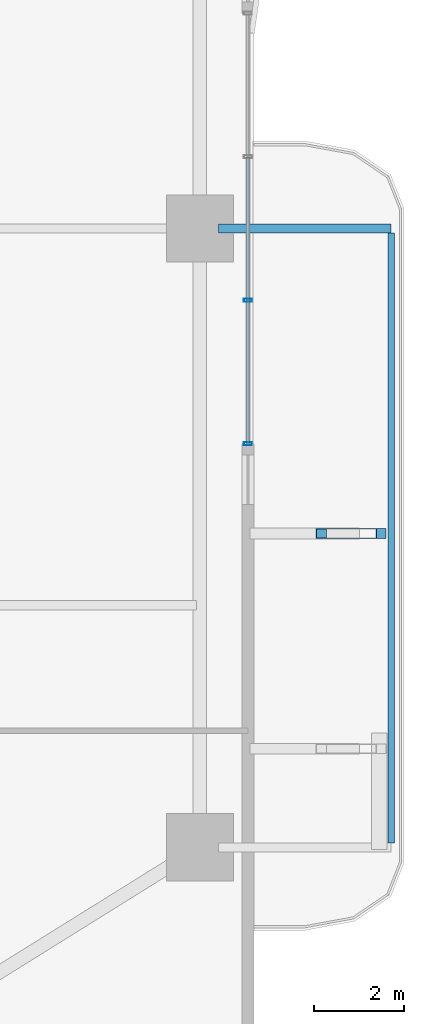
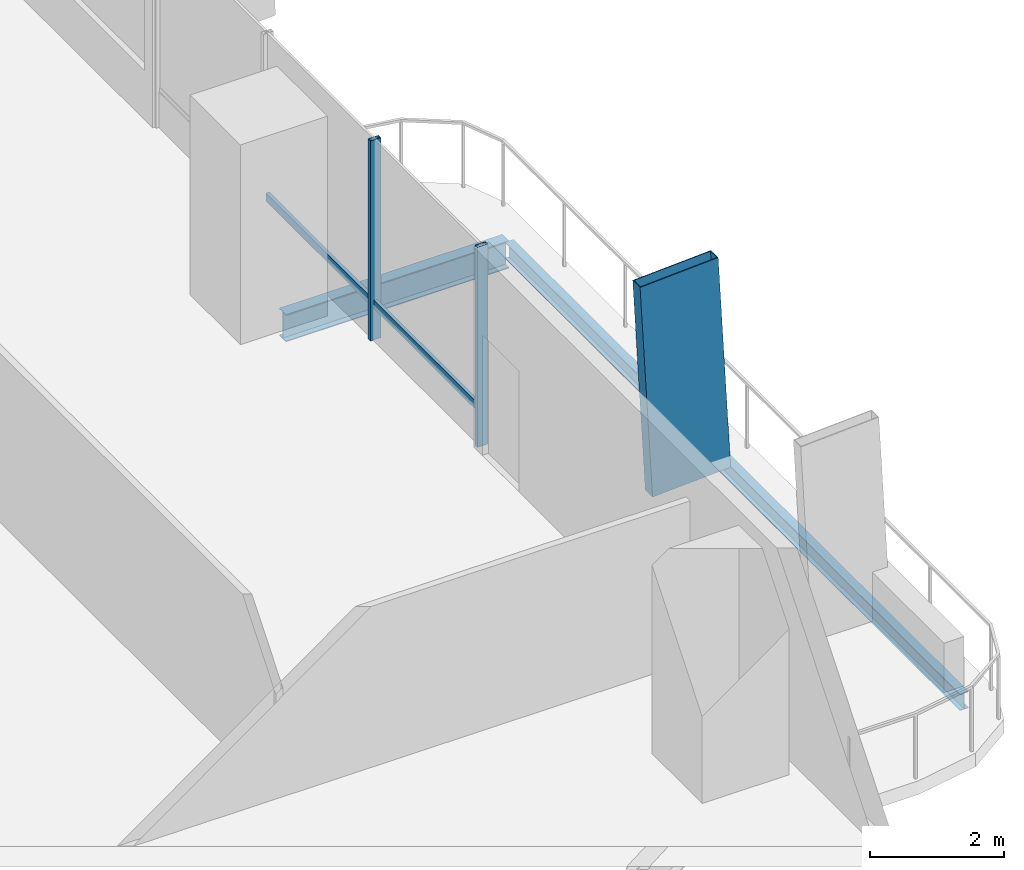
# One storey, part 8 of 23: 5 members, 2 beams, 1 element without a shape of its own.
"""IFC4 building model written with IfcOpenShell, lengths in metres."""

from ifc_helpers import new_model, si_unit, direction, frame, origin, origin_2d, place, context, subcontext, project, spatial, hollow_rectangle, i_section, extrude, material, layer, layer_set, material_profile, profile_set, type_object, element, aggregate, save


model = new_model("IFC4")

# Units and contexts
model_context = context("Model", 3, precision=1e-05, world=origin(), true_north=direction((0.0, 1.0)))
body_context = subcontext(model_context, "Body", "Model", "MODEL_VIEW")
ifc_project = project(units=[si_unit("LENGTHUNIT", "METRE"), si_unit("AREAUNIT", "SQUARE_METRE"), si_unit("VOLUMEUNIT", "CUBIC_METRE"), si_unit("PLANEANGLEUNIT", "RADIAN"), si_unit("MASSUNIT", "GRAM", prefix="KILO")], contexts=[model_context])

# Site, building, storey
site_placement = place(None, origin())
site = spatial("IfcSite", under=ifc_project, at=site_placement, CompositionType="ELEMENT")
building_placement = place(site_placement, origin())
building = spatial("IfcBuilding", under=site, at=building_placement, Name="Belovzor Exchange Tower", CompositionType="ELEMENT")
storey_placement = place(building_placement, frame((0.0, 0.0, 53.39990234375)))
storey = spatial("IfcBuildingStorey", under=building, at=storey_placement, Name="L12", CompositionType="ELEMENT", Elevation=53.39990234375)

# Member
ifc_material_1 = material(Name="Extruded Architectural Terracotta on Steel S355 Carrier", Category="masonry")
ifc_material_profile_1 = material_profile(ifc_material_1, hollow_rectangle(XDim=0.219970703125, YDim=1.35009765625, WallThickness=0.013916015625, at=origin_2d()))
ifc_profile_set_1 = profile_set([ifc_material_profile_1], Name="Extruded Architectural Terracotta on Steel S355 Carrier")
member_type_1 = type_object("IfcMemberType", Name="Base Arc Sweeping Terracotta Pylon Fin 1450", PredefinedType="USERDEFINED", material=ifc_profile_set_1)
member_1_placement = place(storey_placement, frame((58.97900390625, 22.0, -0.25), z_axis=(-0.055314244803, 0.0, 0.998468995173), x_axis=(0.0, -1.0, 0.0)))
element("IfcMember", 1, at=member_1_placement, inside=storey, type_object=member_type_1, Name="FIN-TC145 Terracotta Facade Fin L12 E2", ObjectType="FIN", PredefinedType="USERDEFINED", context=body_context, shape_type="SweptSolid", body=[
    extrude(hollow_rectangle(XDim=0.219970703125, YDim=1.35009765625, WallThickness=0.013916015625, at=origin_2d()), origin(), (0.0, 0.0, 1.0), 3.906005859375),
])

# Beams
ifc_material_2 = material(Name="Steel S355", Category="steel")
ifc_material_profile_2 = material_profile(ifc_material_2, i_section(OverallWidth=0.199951171875, OverallDepth=0.5, WebThickness=0.01025390625, FlangeThickness=0.01611328125, at=origin_2d()))
ifc_profile_set_2 = profile_set([ifc_material_profile_2], Name="Steel S355")
beam_type_1 = type_object("IfcBeamType", Name="Planted Balcony Cantilever Beam IPE 500", PredefinedType="BEAM", material=ifc_profile_set_2)
beam_1_placement = place(storey_placement, frame((55.9130859375, 28.800048828125, -0.5), z_axis=(1.0, 0.0, 0.0), x_axis=(0.0, 1.0, 0.0)))
element("IfcBeam", 2, at=beam_1_placement, inside=storey, type_object=beam_type_1, Name="BC-500 Planted Balcony Cantilever Beam IPE 500", PredefinedType="BEAM", context=body_context, shape_type="SweptSolid", body=[
    extrude(i_section(OverallWidth=0.199951171875, OverallDepth=0.5, WebThickness=0.01025390625, FlangeThickness=0.01611328125, at=origin_2d()), origin(), (0.0, 0.0, 1.0), 3.849853515625),
])
ifc_material_3 = material(Name="Steel S355", Category="steel")
ifc_material_profile_3 = material_profile(ifc_material_3, i_section(OverallWidth=0.14990234375, OverallDepth=0.300048828125, WebThickness=0.007080078125, FlangeThickness=0.0107421875, at=origin_2d()))
ifc_profile_set_3 = profile_set([ifc_material_profile_3], Name="Steel S355")
beam_type_2 = type_object("IfcBeamType", Name="Planted Balcony Fascia Edge Beam IPE 300", PredefinedType="BEAM", material=ifc_profile_set_3)
beam_2_placement = place(storey_placement, frame((59.762939453125, 15.10009765625, -0.39990234375), z_axis=(0.0, 1.0, 0.0), x_axis=(-1.0, 0.0, 0.0)))
element("IfcBeam", 3, at=beam_2_placement, inside=storey, type_object=beam_type_2, Name="BC-300 Planted Balcony Fascia Edge Beam IPE 300", PredefinedType="BEAM", context=body_context, shape_type="SweptSolid", body=[
    extrude(i_section(OverallWidth=0.14990234375, OverallDepth=0.300048828125, WebThickness=0.007080078125, FlangeThickness=0.0107421875, at=origin_2d()), origin(), (0.0, 0.0, 1.0), 13.599853515625),
])

# Curtain wall, members
ifc_material_4 = material(Name="Anodised Aluminium Framing", Category="aluminium")
ifc_layer = layer(ifc_material_4, 0.179931640625)
ifc_layer_set = layer_set([ifc_layer], Name="Anodised Aluminium Framing")
curtain_wall_type = type_object("IfcCurtainWallType", Name="Recessed Loggia Low-Iron Triple-Glazed Curtain Wall", PredefinedType="NOTDEFINED", material=ifc_layer_set)
curtain_wall_placement = place(storey_placement, origin())
curtain_wall = element("IfcCurtainWall", 4, at=curtain_wall_placement, inside=storey, type_object=curtain_wall_type, Name="CW3 Recessed Loggia Low-Iron Triple-Glazed Curtain Wall L12", PredefinedType="NOTDEFINED")
ifc_material_5 = material(Name="Steel S355", Category="steel")
ifc_material_profile_4 = material_profile(ifc_material_5, hollow_rectangle(XDim=0.074951171875, YDim=0.179931640625, WallThickness=0.0048828125, at=origin_2d()))
ifc_profile_set_4 = profile_set([ifc_material_profile_4], Name="Steel S355")
member_type_2 = type_object("IfcMemberType", Name="Thermally Broken Curtain Wall Mullion 180x75", PredefinedType="MULLION", material=ifc_profile_set_4)
member_2_placement = place(storey_placement, frame((56.570068359375, 27.199951171875, 0.0), z_axis=(0.0, 0.0, 1.0), x_axis=(0.0, -1.0, 0.0)))
member_2 = element("IfcMember", 5, at=member_2_placement, type_object=member_type_2, Name="CW-M180 Curtain Wall Mullion 3", PredefinedType="MULLION", context=body_context, shape_type="SweptSolid", body=[
    extrude(hollow_rectangle(XDim=0.074951171875, YDim=0.179931640625, WallThickness=0.0048828125, at=origin_2d()), origin(), (0.0, 0.0, 1.0), 3.650146484375),
])
member_3_placement = place(storey_placement, frame((56.570068359375, 24.0, 0.0), z_axis=(0.0, 0.0, 1.0), x_axis=(0.0, -1.0, 0.0)))
member_3 = element("IfcMember", 6, at=member_3_placement, type_object=member_type_2, Name="CW-M180 Curtain Wall Mullion 4", PredefinedType="MULLION", context=body_context, shape_type="SweptSolid", body=[
    extrude(hollow_rectangle(XDim=0.074951171875, YDim=0.179931640625, WallThickness=0.0048828125, at=origin_2d()), origin(), (0.0, 0.0, 1.0), 3.650146484375),
])
ifc_material_6 = material(Name="Steel S355", Category="steel")
ifc_material_profile_5 = material_profile(ifc_material_6, hollow_rectangle(XDim=0.06005859375, YDim=0.14990234375, WallThickness=0.00390625, at=origin_2d()))
ifc_profile_set_5 = profile_set([ifc_material_profile_5], Name="Steel S355")
member_type_3 = type_object("IfcMemberType", Name="Thermally Broken Curtain Wall Transom 150x60", PredefinedType="USERDEFINED", material=ifc_profile_set_5)
member_4_placement = place(storey_placement, frame((56.570068359375, 30.39208984375, 0.650146484375), z_axis=(0.0, -1.0, 0.0), x_axis=(1.0, 0.0, 0.0)))
member_4 = element("IfcMember", 7, at=member_4_placement, type_object=member_type_3, Name="CW-T150 Curtain Wall Transom 2", ObjectType="TRANSOM", PredefinedType="USERDEFINED", context=body_context, shape_type="SweptSolid", body=[
    extrude(hollow_rectangle(XDim=0.06005859375, YDim=0.14990234375, WallThickness=0.00390625, at=origin_2d()), origin(), (0.0, 0.0, 1.0), 3.18408203125),
])
member_5_placement = place(storey_placement, frame((56.570068359375, 27.19189453125, 0.650146484375), z_axis=(0.0, -1.0, 0.0), x_axis=(1.0, 0.0, 0.0)))
member_5 = element("IfcMember", 8, at=member_5_placement, type_object=member_type_3, Name="CW-T150 Curtain Wall Transom 3", ObjectType="TRANSOM", PredefinedType="USERDEFINED", context=body_context, shape_type="SweptSolid", body=[
    extrude(hollow_rectangle(XDim=0.06005859375, YDim=0.14990234375, WallThickness=0.00390625, at=origin_2d()), origin(), (0.0, 0.0, 1.0), 3.183837890625),
])
aggregate(curtain_wall, [member_2, member_3, member_4, member_5])

save(model, "model.ifc")
